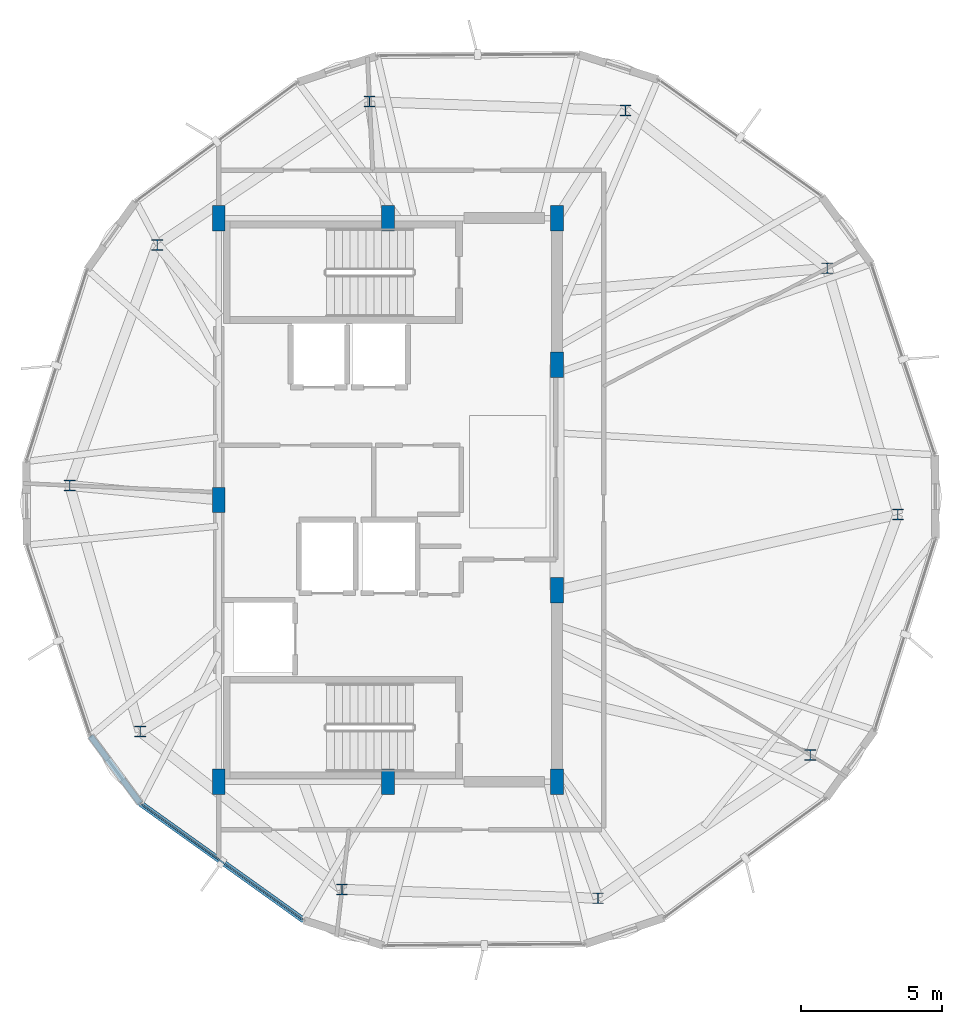
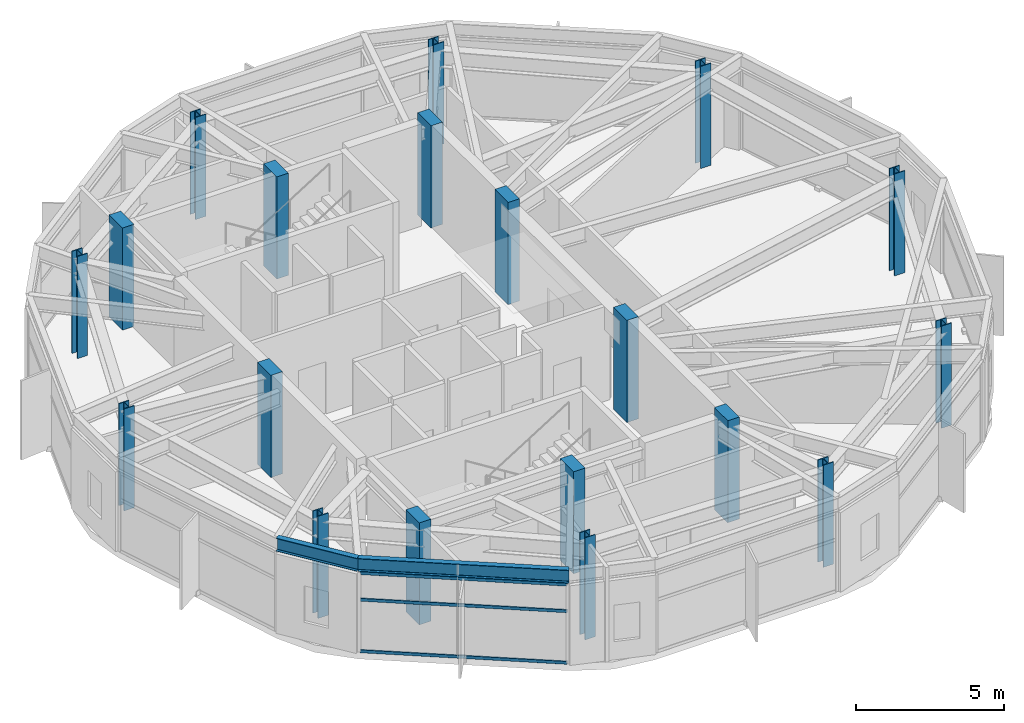
# One storey, part 1 of 22: 19 columns, 3 members, 2 beams, 1 element without a shape of its own.
"""IFC4 building model written with IfcOpenShell, lengths in metres."""

from ifc_helpers import new_model, si_unit, direction, frame, origin, origin_2d, place, context, subcontext, project, spatial, rectangle, hollow_rectangle, i_section, extrude, material, layer, layer_set, material_profile, profile_set, type_object, element, aggregate, save


model = new_model("IFC4")

# Units and contexts
model_context = context("Model", 3, precision=1e-05, world=origin(), true_north=direction((0.0, 1.0)))
body_context = subcontext(model_context, "Body", "Model", "MODEL_VIEW")
ifc_project = project(units=[si_unit("LENGTHUNIT", "METRE"), si_unit("AREAUNIT", "SQUARE_METRE"), si_unit("VOLUMEUNIT", "CUBIC_METRE"), si_unit("PLANEANGLEUNIT", "RADIAN"), si_unit("MASSUNIT", "GRAM", prefix="KILO")], contexts=[model_context])

# Site, building, storey
site_placement = place(None, origin())
site = spatial("IfcSite", under=ifc_project, at=site_placement, CompositionType="ELEMENT")
building_placement = place(site_placement, origin())
building = spatial("IfcBuilding", under=site, at=building_placement, Name="Soratama Intermodal Tower", CompositionType="ELEMENT")
storey_placement = place(building_placement, frame((0.0, 0.0, 301.449951171875)))
storey = spatial("IfcBuildingStorey", under=building, at=storey_placement, Name="L76", CompositionType="ELEMENT", Elevation=301.449951171875)

# Columns
ifc_material_1 = material(Name="Structural steel ASTM A992 Grade 50", Category="steel")
ifc_material_profile_1 = material_profile(ifc_material_1, i_section(OverallWidth=0.39794921875, OverallDepth=0.386962890625, WebThickness=0.02099609375, FlangeThickness=0.033203125, FilletRadius=0.0380859375, at=origin_2d()), Name="W14X176")
ifc_profile_set_1 = profile_set([ifc_material_profile_1], Name="Structural steel ASTM A992 Grade 50")
column_type_1 = type_object("IfcColumnType", Name="COL-ZF-W14X176", PredefinedType="COLUMN", material=ifc_profile_set_1)
for number, where, z_axis, x_axis, name in (
    (1, (54.18701171875, 33.22021484375, 0.0), (0.0, 0.0, 1.0), (1.0, 0.0, 0.0), "L76 Tower Ring Column R01"),
    (2, (47.027587890625, 38.8134765625, 0.0), (0.0, 0.0, 1.0), (1.0, 0.0, 0.0), "L76 Tower Ring Column R02"),
    (3, (37.947998046875, 39.130615234375, 0.0), (0.0, 0.0, 1.0), (1.0, 0.0, 0.0), "L76 Tower Ring Column R03"),
    (4, (30.416259765625, 34.05029296875, 0.0), (0.0, 0.0, 1.0), (1.0, 0.0, 0.0), "L76 Tower Ring Column R04"),
    (5, (27.30908203125, 25.512939453125, 0.0), (0.0, 0.0, 1.0), (1.0, 0.0, 0.0), "L76 Tower Ring Column R05"),
    (6, (29.81298828125, 16.77978515625, 0.0), (0.0, 0.0, 1.0), (1.0, 0.0, 0.0), "L76 Tower Ring Column R06"),
    (7, (36.972412109375, 11.1865234375, 0.0), (0.0, 0.0, 1.0), (1.0, 0.0, 0.0), "L76 Tower Ring Column R07"),
    (8, (46.052001953125, 10.869384765625, 0.0), (0.0, 0.0, 1.0), (1.0, 0.0, 0.0), "L76 Tower Ring Column R08"),
    (9, (53.583740234375, 15.94970703125, 0.0), (0.0, 0.0, 1.0), (1.0, 0.0, 0.0), "L76 Tower Ring Column R09"),
    (10, (56.69091796875, 24.487060546875, 0.0), (0.0, 0.0, 1.0), (1.0, 0.0, 0.0), "L76 Tower Ring Column R10"),
):
    element("IfcColumn", number, at=place(storey_placement, frame(where, z_axis=z_axis, x_axis=x_axis)), inside=storey, type_object=column_type_1, Name=name, PredefinedType="COLUMN", context=body_context, shape_type="SweptSolid", body=[
        extrude(i_section(OverallWidth=0.39794921875, OverallDepth=0.386962890625, WebThickness=0.02099609375, FlangeThickness=0.033203125, FilletRadius=0.0380859375, at=origin_2d()), origin(), (0.0, 0.0, 1.0), 4.199951171875),
    ])
ifc_material_2 = material(Name="Concrete f'c 56 MPa", Category="concrete")
ifc_material_profile_2 = material_profile(ifc_material_2, rectangle(XDim=0.449951171875, YDim=0.89990234375, at=origin_2d()), Name="RC450X900")
ifc_profile_set_2 = profile_set([ifc_material_profile_2], Name="Concrete f'c 56 MPa")
column_type_2 = type_object("IfcColumnType", Name="PIL-CORE-450X900", PredefinedType="PILASTER", material=ifc_profile_set_2)
for number, where, z_axis, x_axis, name in (
    (11, (32.60009765625, 15.0, 0.0), (0.0, 0.0, 1.0), (1.0, 0.0, 0.0), "L76 Core Pilaster 1"),
    (12, (32.60009765625, 25.0, 0.0), (0.0, 0.0, 1.0), (1.0, 0.0, 0.0), "L76 Core Pilaster 2"),
    (13, (32.60009765625, 35.0, 0.0), (0.0, 0.0, 1.0), (1.0, 0.0, 0.0), "L76 Core Pilaster 3"),
    (14, (38.60009765625, 15.0, 0.0), (0.0, 0.0, 1.0), (1.0, 0.0, 0.0), "L76 Core Pilaster 4"),
    (15, (38.60009765625, 35.0, 0.0), (0.0, 0.0, 1.0), (1.0, 0.0, 0.0), "L76 Core Pilaster 5"),
    (16, (44.60009765625, 15.0, 0.0), (0.0, 0.0, 1.0), (1.0, 0.0, 0.0), "L76 Core Pilaster 6"),
    (17, (44.60009765625, 21.800048828125, 0.0), (0.0, 0.0, 1.0), (1.0, 0.0, 0.0), "L76 Core Pilaster 7"),
    (18, (44.60009765625, 29.800048828125, 0.0), (0.0, 0.0, 1.0), (1.0, 0.0, 0.0), "L76 Core Pilaster 8"),
    (19, (44.60009765625, 35.0, 0.0), (0.0, 0.0, 1.0), (1.0, 0.0, 0.0), "L76 Core Pilaster 9"),
):
    element("IfcColumn", number, at=place(storey_placement, frame(where, z_axis=z_axis, x_axis=x_axis)), inside=storey, type_object=column_type_2, Name=name, PredefinedType="PILASTER", context=body_context, shape_type="SweptSolid", body=[
        extrude(rectangle(XDim=0.449951171875, YDim=0.89990234375, at=origin_2d()), origin(), (0.0, 0.0, 1.0), 4.199951171875),
    ])

# Beams
ifc_material_3 = material(Name="Structural steel ASTM A992 Grade 50", Category="steel")
ifc_material_profile_3 = material_profile(ifc_material_3, i_section(OverallWidth=0.2099609375, OverallDepth=0.537109375, WebThickness=0.010986328125, FlangeThickness=0.017333984375, FilletRadius=0.012939453125, at=origin_2d()), Name="W21X68")
ifc_profile_set_3 = profile_set([ifc_material_profile_3], Name="Structural steel ASTM A992 Grade 50")
beam_type = type_object("IfcBeamType", Name="BM-SPN-W21X68", PredefinedType="SPANDREL", material=ifc_profile_set_3)
beam_1_placement = place(storey_placement, frame((28.049072265625, 16.6240234375, 3.62646484375), z_axis=(0.593886540996, -0.804548803009, 0.0), x_axis=(0.804548803009, 0.593886540996, 0.0)))
element("IfcBeam", 20, at=beam_1_placement, inside=storey, type_object=beam_type, Name="BS-L76-CRN04", PredefinedType="SPANDREL", context=body_context, shape_type="SweptSolid", body=[
    extrude(i_section(OverallWidth=0.2099609375, OverallDepth=0.537109375, WebThickness=0.010986328125, FlangeThickness=0.017333984375, FilletRadius=0.012939453125, at=origin_2d()), origin(), (0.0, 0.0, 1.0), 2.966796875),
])
beam_2_placement = place(storey_placement, frame((29.81103515625, 14.237060546875, 3.62646484375), z_axis=(0.813317383243, -0.581820276472, 0.0), x_axis=(0.581820276472, 0.813317383243, 0.0)))
element("IfcBeam", 21, at=beam_2_placement, inside=storey, type_object=beam_type, Name="BS-L76-F05", PredefinedType="SPANDREL", context=body_context, shape_type="SweptSolid", body=[
    extrude(i_section(OverallWidth=0.2099609375, OverallDepth=0.537109375, WebThickness=0.010986328125, FlangeThickness=0.017333984375, FilletRadius=0.012939453125, at=origin_2d()), origin(), (0.0, 0.0, 1.0), 7.1396484375),
])

# Curtain wall, members
ifc_material_4 = material(Name="Double-glazed aluminium curtain wall", Category="aluminium")
ifc_layer = layer(ifc_material_4, 0.159912109375)
ifc_layer_set = layer_set([ifc_layer], Name="Double-glazed aluminium curtain wall")
curtain_wall_type = type_object("IfcCurtainWallType", Name="CW-SYS-6", PredefinedType="NOTDEFINED", material=ifc_layer_set)
curtain_wall_placement = place(storey_placement, origin())
curtain_wall = element("IfcCurtainWall", 22, at=curtain_wall_placement, inside=storey, type_object=curtain_wall_type, Name="L76 Faceted Curtain Wall F05", PredefinedType="NOTDEFINED")
ifc_material_5 = material(Name="Anodised aluminium AA 6063-T6", Category="aluminium")
ifc_material_profile_4 = material_profile(ifc_material_5, hollow_rectangle(XDim=0.06005859375, YDim=0.1298828125, WallThickness=0.0048828125, InnerFilletRadius=0.0048828125, OuterFilletRadius=0.010009765625, at=origin_2d()), Name="CWT130X60X5")
ifc_profile_set_4 = profile_set([ifc_material_profile_4], Name="Anodised aluminium AA 6063-T6")
member_type = type_object("IfcMemberType", Name="TT-CWT-2", PredefinedType="USERDEFINED", material=ifc_profile_set_4)
member_1_placement = place(storey_placement, frame((29.859375, 14.2021484375, 0.030029296875), z_axis=(0.813310284244, -0.581830199923, 0.0), x_axis=(0.581830199923, 0.813310284244, 0.0)))
member_1 = element("IfcMember", 23, at=member_1_placement, type_object=member_type, Name="CW-6 transom 1.1", ObjectType="TRANSOM", PredefinedType="USERDEFINED", context=body_context, shape_type="SweptSolid", body=[
    extrude(hollow_rectangle(XDim=0.06005859375, YDim=0.1298828125, WallThickness=0.0048828125, InnerFilletRadius=0.0048828125, OuterFilletRadius=0.010009765625, at=origin_2d()), origin(), (0.0, 0.0, 1.0), 7.02001953125),
])
member_2_placement = place(storey_placement, frame((29.859375, 14.2021484375, 2.150146484375), z_axis=(0.813310284244, -0.581830199923, 0.0), x_axis=(0.581830199923, 0.813310284244, 0.0)))
member_2 = element("IfcMember", 24, at=member_2_placement, type_object=member_type, Name="CW-6 transom 1.2", ObjectType="TRANSOM", PredefinedType="USERDEFINED", context=body_context, shape_type="SweptSolid", body=[
    extrude(hollow_rectangle(XDim=0.06005859375, YDim=0.1298828125, WallThickness=0.0048828125, InnerFilletRadius=0.0048828125, OuterFilletRadius=0.010009765625, at=origin_2d()), origin(), (0.0, 0.0, 1.0), 7.02001953125),
])
member_3_placement = place(storey_placement, frame((29.859375, 14.2021484375, 3.244140625), z_axis=(0.813310284244, -0.581830199923, 0.0), x_axis=(0.581830199923, 0.813310284244, 0.0)))
member_3 = element("IfcMember", 25, at=member_3_placement, type_object=member_type, Name="CW-6 transom 1.3", ObjectType="TRANSOM", PredefinedType="USERDEFINED", context=body_context, shape_type="SweptSolid", body=[
    extrude(hollow_rectangle(XDim=0.06005859375, YDim=0.1298828125, WallThickness=0.0048828125, InnerFilletRadius=0.0048828125, OuterFilletRadius=0.010009765625, at=origin_2d()), origin(), (0.0, 0.0, 1.0), 7.02001953125),
])
aggregate(curtain_wall, [member_1, member_2, member_3])

save(model, "model.ifc")
